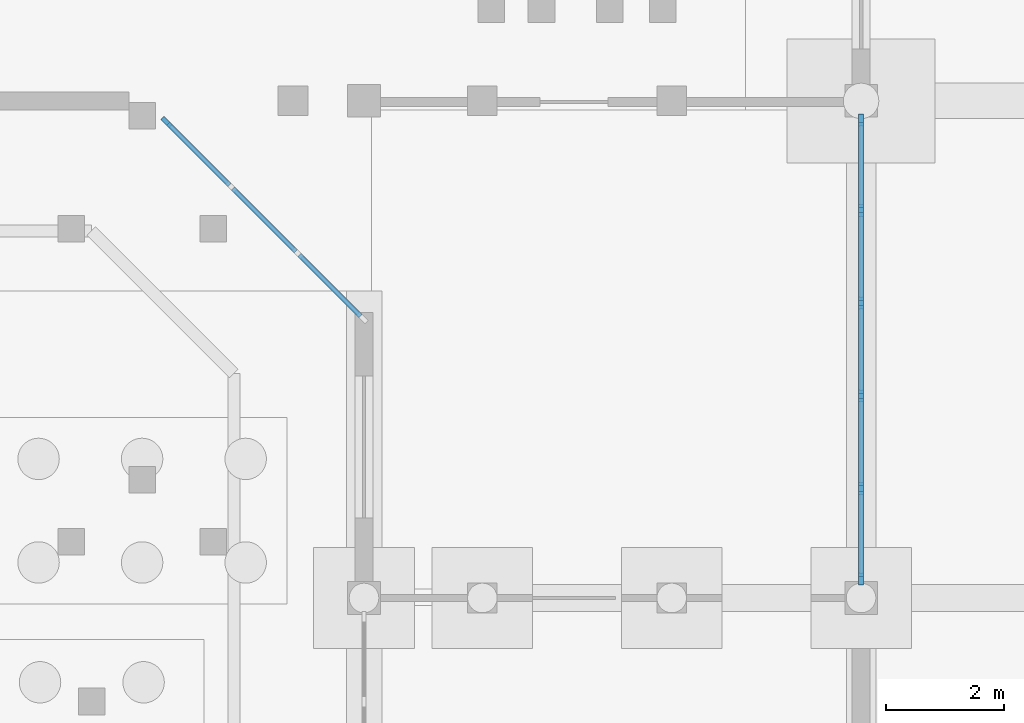
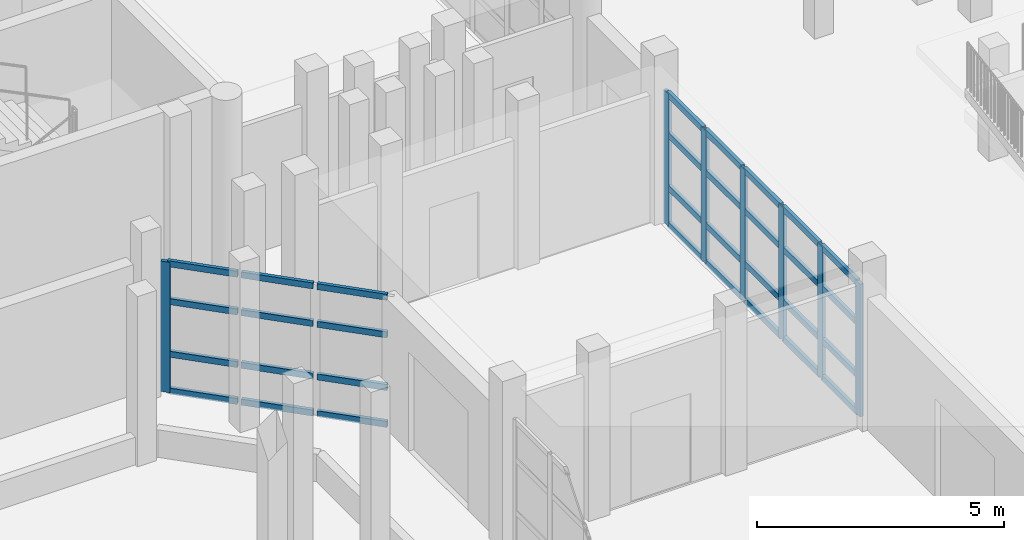
# One storey, part 24 of 88: 39 members, 2 elements without a shape of their own.
"""IFC4 building model written with IfcOpenShell, lengths in metres."""

from ifc_helpers import new_model, si_unit, direction, frame, origin, origin_2d, place, context, subcontext, project, spatial, rectangle, extrude, material, material_profile, profile_set, type_object, element, aggregate, save


model = new_model("IFC4")

# Units and contexts
model_context = context("Model", 3, precision=1e-05, world=origin(), true_north=direction((0.0, 1.0)))
body_context = subcontext(model_context, "Body", "Model", "MODEL_VIEW")
ifc_project = project(units=[si_unit("LENGTHUNIT", "METRE"), si_unit("AREAUNIT", "SQUARE_METRE"), si_unit("VOLUMEUNIT", "CUBIC_METRE"), si_unit("PLANEANGLEUNIT", "RADIAN"), si_unit("MASSUNIT", "GRAM", prefix="KILO")], contexts=[model_context])

# Site, building, storey
site_placement = place(None, origin())
site = spatial("IfcSite", under=ifc_project, at=site_placement, CompositionType="ELEMENT")
building_placement = place(site_placement, origin())
building = spatial("IfcBuilding", under=site, at=building_placement, Name="Vanh Quang Courtyard School", CompositionType="ELEMENT")
storey_placement = place(building_placement, origin())
storey = spatial("IfcBuildingStorey", under=building, at=storey_placement, Name="L00", CompositionType="ELEMENT", Elevation=0.0)

# Curtain wall, members
ifc_material_1 = material(Name="Thermally broken aluminium unitised curtain wall", Category="aluminium")
curtain_wall_type_1 = type_object("IfcCurtainWallType", Name="CW-SYS-07", PredefinedType="NOTDEFINED", material=ifc_material_1)
curtain_wall_1_placement = place(storey_placement, origin())
curtain_wall_1 = element("IfcCurtainWall", 1, at=curtain_wall_1_placement, inside=storey, type_object=curtain_wall_type_1, Name="Curtain Wall CW-07 (L00)", PredefinedType="NOTDEFINED")
ifc_material_2 = material(Name="Anodised aluminium 6063-T6", Category="aluminium")
ifc_material_profile_1 = material_profile(ifc_material_2, rectangle(XDim=0.080078125, YDim=0.199951171875, at=origin_2d()), Name="ALU-MUL 80x200")
ifc_profile_set_1 = profile_set([ifc_material_profile_1], Name="Anodised aluminium 6063-T6")
member_type_1 = type_object("IfcMemberType", Name="CW-MUL-80x200", PredefinedType="MULLION", material=ifc_profile_set_1)
member_1_placement = place(storey_placement, frame((119.39990234375, 29.076904296875, 0.0), z_axis=(0.0, 0.0, 1.0), x_axis=(1.0, 0.0, 0.0)))
member_1 = element("IfcMember", 2, at=member_1_placement, type_object=member_type_1, Name="CW-07 mullion 1", PredefinedType="MULLION", context=body_context, shape_type="SweptSolid", body=[
    extrude(rectangle(XDim=0.080078125, YDim=0.199951171875, at=origin_2d()), origin(), (0.0, 0.0, 1.0), 3.280029296875),
])
member_2_placement = place(storey_placement, frame((119.39990234375, 27.55029296875, 0.0), z_axis=(0.0, 0.0, 1.0), x_axis=(1.0, 0.0, 0.0)))
member_2 = element("IfcMember", 3, at=member_2_placement, type_object=member_type_1, Name="CW-07 mullion 2", PredefinedType="MULLION", context=body_context, shape_type="SweptSolid", body=[
    extrude(rectangle(XDim=0.080078125, YDim=0.199951171875, at=origin_2d()), origin(), (0.0, 0.0, 1.0), 3.280029296875),
])
member_3_placement = place(storey_placement, frame((119.39990234375, 25.9833984375, 0.0), z_axis=(0.0, 0.0, 1.0), x_axis=(1.0, 0.0, 0.0)))
member_3 = element("IfcMember", 4, at=member_3_placement, type_object=member_type_1, Name="CW-07 mullion 3", PredefinedType="MULLION", context=body_context, shape_type="SweptSolid", body=[
    extrude(rectangle(XDim=0.080078125, YDim=0.199951171875, at=origin_2d()), origin(), (0.0, 0.0, 1.0), 3.280029296875),
])
member_4_placement = place(storey_placement, frame((119.39990234375, 24.41650390625, 0.0), z_axis=(0.0, 0.0, 1.0), x_axis=(1.0, 0.0, 0.0)))
member_4 = element("IfcMember", 5, at=member_4_placement, type_object=member_type_1, Name="CW-07 mullion 4", PredefinedType="MULLION", context=body_context, shape_type="SweptSolid", body=[
    extrude(rectangle(XDim=0.080078125, YDim=0.199951171875, at=origin_2d()), origin(), (0.0, 0.0, 1.0), 3.280029296875),
])
member_5_placement = place(storey_placement, frame((119.39990234375, 22.849853515625, 0.0), z_axis=(0.0, 0.0, 1.0), x_axis=(1.0, 0.0, 0.0)))
member_5 = element("IfcMember", 6, at=member_5_placement, type_object=member_type_1, Name="CW-07 mullion 5", PredefinedType="MULLION", context=body_context, shape_type="SweptSolid", body=[
    extrude(rectangle(XDim=0.080078125, YDim=0.199951171875, at=origin_2d()), origin(), (0.0, 0.0, 1.0), 3.280029296875),
])
member_6_placement = place(storey_placement, frame((119.39990234375, 21.322998046875, 0.0), z_axis=(0.0, 0.0, 1.0), x_axis=(1.0, 0.0, 0.0)))
member_6 = element("IfcMember", 7, at=member_6_placement, type_object=member_type_1, Name="CW-07 mullion 6", PredefinedType="MULLION", context=body_context, shape_type="SweptSolid", body=[
    extrude(rectangle(XDim=0.080078125, YDim=0.199951171875, at=origin_2d()), origin(), (0.0, 0.0, 1.0), 3.280029296875),
])

# Curtain wall, member
curtain_wall_type_2 = type_object("IfcCurtainWallType", Name="CW-SYS-11", PredefinedType="NOTDEFINED", material=ifc_material_1)
curtain_wall_2_placement = place(storey_placement, origin())
curtain_wall_2 = element("IfcCurtainWall", 8, at=curtain_wall_2_placement, inside=storey, type_object=curtain_wall_type_2, Name="Curtain Wall CW-11 (L00)", PredefinedType="NOTDEFINED")
member_7_placement = place(storey_placement, frame((107.660888671875, 29.04296875, 0.0), z_axis=(0.0, 0.0, 1.0), x_axis=(-0.707106781187, -0.707106781187, 0.0)))
member_7 = element("IfcMember", 9, at=member_7_placement, type_object=member_type_1, Name="CW-11 mullion 4", PredefinedType="MULLION", context=body_context, shape_type="SweptSolid", body=[
    extrude(rectangle(XDim=0.080078125, YDim=0.199951171875, at=origin_2d()), origin(), (0.0, 0.0, 1.0), 3.219970703125),
])

# Member
ifc_material_profile_2 = material_profile(ifc_material_2, rectangle(XDim=0.080078125, YDim=0.14990234375, at=origin_2d()), Name="ALU-TRN 80x150")
ifc_profile_set_2 = profile_set([ifc_material_profile_2], Name="Anodised aluminium 6063-T6")
member_type_2 = type_object("IfcMemberType", Name="CW-TRN-80x150", PredefinedType="USERDEFINED", material=ifc_profile_set_2)
member_8_placement = place(storey_placement, frame((119.39990234375, 29.037109375, 0.0400390625), z_axis=(0.0, -1.0, 0.0), x_axis=(1.0, 0.0, 0.0)))
member_8 = element("IfcMember", 10, at=member_8_placement, type_object=member_type_2, Name="CW-07 transom 1.1", ObjectType="TRANSOM", PredefinedType="USERDEFINED", context=body_context, shape_type="SweptSolid", body=[
    extrude(rectangle(XDim=0.080078125, YDim=0.14990234375, at=origin_2d()), origin(), (0.0, 0.0, 1.0), 1.447021484375),
])

member_9_placement = place(storey_placement, frame((119.39990234375, 29.037109375, 0.949951171875), z_axis=(0.0, -1.0, 0.0), x_axis=(1.0, 0.0, 0.0)))
member_9 = element("IfcMember", 11, at=member_9_placement, type_object=member_type_2, Name="CW-07 transom 1.2", ObjectType="TRANSOM", PredefinedType="USERDEFINED", context=body_context, shape_type="SweptSolid", body=[
    extrude(rectangle(XDim=0.080078125, YDim=0.14990234375, at=origin_2d()), origin(), (0.0, 0.0, 1.0), 1.447021484375),
])

member_10_placement = place(storey_placement, frame((119.39990234375, 29.037109375, 2.25), z_axis=(0.0, -1.0, 0.0), x_axis=(1.0, 0.0, 0.0)))
member_10 = element("IfcMember", 12, at=member_10_placement, type_object=member_type_2, Name="CW-07 transom 1.3", ObjectType="TRANSOM", PredefinedType="USERDEFINED", context=body_context, shape_type="SweptSolid", body=[
    extrude(rectangle(XDim=0.080078125, YDim=0.14990234375, at=origin_2d()), origin(), (0.0, 0.0, 1.0), 1.447021484375),
])

member_11_placement = place(storey_placement, frame((119.39990234375, 29.037109375, 3.239990234375), z_axis=(0.0, -1.0, 0.0), x_axis=(1.0, 0.0, 0.0)))
member_11 = element("IfcMember", 13, at=member_11_placement, type_object=member_type_2, Name="CW-07 transom 1.4", ObjectType="TRANSOM", PredefinedType="USERDEFINED", context=body_context, shape_type="SweptSolid", body=[
    extrude(rectangle(XDim=0.080078125, YDim=0.14990234375, at=origin_2d()), origin(), (0.0, 0.0, 1.0), 1.447021484375),
])

member_12_placement = place(storey_placement, frame((119.39990234375, 27.51025390625, 0.0400390625), z_axis=(0.0, -1.0, 0.0), x_axis=(1.0, 0.0, 0.0)))
member_12 = element("IfcMember", 14, at=member_12_placement, type_object=member_type_2, Name="CW-07 transom 2.1", ObjectType="TRANSOM", PredefinedType="USERDEFINED", context=body_context, shape_type="SweptSolid", body=[
    extrude(rectangle(XDim=0.080078125, YDim=0.14990234375, at=origin_2d()), origin(), (0.0, 0.0, 1.0), 1.48681640625),
])

member_13_placement = place(storey_placement, frame((119.39990234375, 27.51025390625, 0.949951171875), z_axis=(0.0, -1.0, 0.0), x_axis=(1.0, 0.0, 0.0)))
member_13 = element("IfcMember", 15, at=member_13_placement, type_object=member_type_2, Name="CW-07 transom 2.2", ObjectType="TRANSOM", PredefinedType="USERDEFINED", context=body_context, shape_type="SweptSolid", body=[
    extrude(rectangle(XDim=0.080078125, YDim=0.14990234375, at=origin_2d()), origin(), (0.0, 0.0, 1.0), 1.48681640625),
])

member_14_placement = place(storey_placement, frame((119.39990234375, 27.51025390625, 2.25), z_axis=(0.0, -1.0, 0.0), x_axis=(1.0, 0.0, 0.0)))
member_14 = element("IfcMember", 16, at=member_14_placement, type_object=member_type_2, Name="CW-07 transom 2.3", ObjectType="TRANSOM", PredefinedType="USERDEFINED", context=body_context, shape_type="SweptSolid", body=[
    extrude(rectangle(XDim=0.080078125, YDim=0.14990234375, at=origin_2d()), origin(), (0.0, 0.0, 1.0), 1.48681640625),
])

member_15_placement = place(storey_placement, frame((119.39990234375, 27.51025390625, 3.239990234375), z_axis=(0.0, -1.0, 0.0), x_axis=(1.0, 0.0, 0.0)))
member_15 = element("IfcMember", 17, at=member_15_placement, type_object=member_type_2, Name="CW-07 transom 2.4", ObjectType="TRANSOM", PredefinedType="USERDEFINED", context=body_context, shape_type="SweptSolid", body=[
    extrude(rectangle(XDim=0.080078125, YDim=0.14990234375, at=origin_2d()), origin(), (0.0, 0.0, 1.0), 1.48681640625),
])

member_16_placement = place(storey_placement, frame((119.39990234375, 25.943359375, 0.0400390625), z_axis=(0.0, -1.0, 0.0), x_axis=(1.0, 0.0, 0.0)))
member_16 = element("IfcMember", 18, at=member_16_placement, type_object=member_type_2, Name="CW-07 transom 3.1", ObjectType="TRANSOM", PredefinedType="USERDEFINED", context=body_context, shape_type="SweptSolid", body=[
    extrude(rectangle(XDim=0.080078125, YDim=0.14990234375, at=origin_2d()), origin(), (0.0, 0.0, 1.0), 1.48681640625),
])

member_17_placement = place(storey_placement, frame((119.39990234375, 25.943359375, 0.949951171875), z_axis=(0.0, -1.0, 0.0), x_axis=(1.0, 0.0, 0.0)))
member_17 = element("IfcMember", 19, at=member_17_placement, type_object=member_type_2, Name="CW-07 transom 3.2", ObjectType="TRANSOM", PredefinedType="USERDEFINED", context=body_context, shape_type="SweptSolid", body=[
    extrude(rectangle(XDim=0.080078125, YDim=0.14990234375, at=origin_2d()), origin(), (0.0, 0.0, 1.0), 1.48681640625),
])

member_18_placement = place(storey_placement, frame((119.39990234375, 25.943359375, 2.25), z_axis=(0.0, -1.0, 0.0), x_axis=(1.0, 0.0, 0.0)))
member_18 = element("IfcMember", 20, at=member_18_placement, type_object=member_type_2, Name="CW-07 transom 3.3", ObjectType="TRANSOM", PredefinedType="USERDEFINED", context=body_context, shape_type="SweptSolid", body=[
    extrude(rectangle(XDim=0.080078125, YDim=0.14990234375, at=origin_2d()), origin(), (0.0, 0.0, 1.0), 1.48681640625),
])

member_19_placement = place(storey_placement, frame((119.39990234375, 25.943359375, 3.239990234375), z_axis=(0.0, -1.0, 0.0), x_axis=(1.0, 0.0, 0.0)))
member_19 = element("IfcMember", 21, at=member_19_placement, type_object=member_type_2, Name="CW-07 transom 3.4", ObjectType="TRANSOM", PredefinedType="USERDEFINED", context=body_context, shape_type="SweptSolid", body=[
    extrude(rectangle(XDim=0.080078125, YDim=0.14990234375, at=origin_2d()), origin(), (0.0, 0.0, 1.0), 1.48681640625),
])

member_20_placement = place(storey_placement, frame((119.39990234375, 24.376708984375, 0.0400390625), z_axis=(0.0, -1.0, 0.0), x_axis=(1.0, 0.0, 0.0)))
member_20 = element("IfcMember", 22, at=member_20_placement, type_object=member_type_2, Name="CW-07 transom 4.1", ObjectType="TRANSOM", PredefinedType="USERDEFINED", context=body_context, shape_type="SweptSolid", body=[
    extrude(rectangle(XDim=0.080078125, YDim=0.14990234375, at=origin_2d()), origin(), (0.0, 0.0, 1.0), 1.48681640625),
])

member_21_placement = place(storey_placement, frame((119.39990234375, 24.376708984375, 0.949951171875), z_axis=(0.0, -1.0, 0.0), x_axis=(1.0, 0.0, 0.0)))
member_21 = element("IfcMember", 23, at=member_21_placement, type_object=member_type_2, Name="CW-07 transom 4.2", ObjectType="TRANSOM", PredefinedType="USERDEFINED", context=body_context, shape_type="SweptSolid", body=[
    extrude(rectangle(XDim=0.080078125, YDim=0.14990234375, at=origin_2d()), origin(), (0.0, 0.0, 1.0), 1.48681640625),
])

member_22_placement = place(storey_placement, frame((119.39990234375, 24.376708984375, 2.25), z_axis=(0.0, -1.0, 0.0), x_axis=(1.0, 0.0, 0.0)))
member_22 = element("IfcMember", 24, at=member_22_placement, type_object=member_type_2, Name="CW-07 transom 4.3", ObjectType="TRANSOM", PredefinedType="USERDEFINED", context=body_context, shape_type="SweptSolid", body=[
    extrude(rectangle(XDim=0.080078125, YDim=0.14990234375, at=origin_2d()), origin(), (0.0, 0.0, 1.0), 1.48681640625),
])

member_23_placement = place(storey_placement, frame((119.39990234375, 24.376708984375, 3.239990234375), z_axis=(0.0, -1.0, 0.0), x_axis=(1.0, 0.0, 0.0)))
member_23 = element("IfcMember", 25, at=member_23_placement, type_object=member_type_2, Name="CW-07 transom 4.4", ObjectType="TRANSOM", PredefinedType="USERDEFINED", context=body_context, shape_type="SweptSolid", body=[
    extrude(rectangle(XDim=0.080078125, YDim=0.14990234375, at=origin_2d()), origin(), (0.0, 0.0, 1.0), 1.48681640625),
])

member_24_placement = place(storey_placement, frame((119.39990234375, 22.809814453125, 0.0400390625), z_axis=(0.0, -1.0, 0.0), x_axis=(1.0, 0.0, 0.0)))
member_24 = element("IfcMember", 26, at=member_24_placement, type_object=member_type_2, Name="CW-07 transom 5.1", ObjectType="TRANSOM", PredefinedType="USERDEFINED", context=body_context, shape_type="SweptSolid", body=[
    extrude(rectangle(XDim=0.080078125, YDim=0.14990234375, at=origin_2d()), origin(), (0.0, 0.0, 1.0), 1.44677734375),
])

member_25_placement = place(storey_placement, frame((119.39990234375, 22.809814453125, 0.949951171875), z_axis=(0.0, -1.0, 0.0), x_axis=(1.0, 0.0, 0.0)))
member_25 = element("IfcMember", 27, at=member_25_placement, type_object=member_type_2, Name="CW-07 transom 5.2", ObjectType="TRANSOM", PredefinedType="USERDEFINED", context=body_context, shape_type="SweptSolid", body=[
    extrude(rectangle(XDim=0.080078125, YDim=0.14990234375, at=origin_2d()), origin(), (0.0, 0.0, 1.0), 1.44677734375),
])

member_26_placement = place(storey_placement, frame((119.39990234375, 22.809814453125, 2.25), z_axis=(0.0, -1.0, 0.0), x_axis=(1.0, 0.0, 0.0)))
member_26 = element("IfcMember", 28, at=member_26_placement, type_object=member_type_2, Name="CW-07 transom 5.3", ObjectType="TRANSOM", PredefinedType="USERDEFINED", context=body_context, shape_type="SweptSolid", body=[
    extrude(rectangle(XDim=0.080078125, YDim=0.14990234375, at=origin_2d()), origin(), (0.0, 0.0, 1.0), 1.44677734375),
])

member_27_placement = place(storey_placement, frame((119.39990234375, 22.809814453125, 3.239990234375), z_axis=(0.0, -1.0, 0.0), x_axis=(1.0, 0.0, 0.0)))
member_27 = element("IfcMember", 29, at=member_27_placement, type_object=member_type_2, Name="CW-07 transom 5.4", ObjectType="TRANSOM", PredefinedType="USERDEFINED", context=body_context, shape_type="SweptSolid", body=[
    extrude(rectangle(XDim=0.080078125, YDim=0.14990234375, at=origin_2d()), origin(), (0.0, 0.0, 1.0), 1.44677734375),
])

aggregate(curtain_wall_1, [member_1, member_2, member_3, member_4, member_5, member_6, member_8, member_9, member_10, member_11, member_12, member_13, member_14, member_15, member_16, member_17, member_18, member_19, member_20, member_21, member_22, member_23, member_24, member_25, member_26, member_27])

member_28_placement = place(storey_placement, frame((110.943359375, 25.760498046875, 0.0400390625), z_axis=(-0.707106781187, 0.707106781187, 0.0), x_axis=(-0.707106781187, -0.707106781187, 0.0)))
member_28 = element("IfcMember", 30, at=member_28_placement, type_object=member_type_2, Name="CW-11 transom 1.1", ObjectType="TRANSOM", PredefinedType="USERDEFINED", context=body_context, shape_type="SweptSolid", body=[
    extrude(rectangle(XDim=0.080078125, YDim=0.14990234375, at=origin_2d()), origin(), (0.0, 0.0, 1.0), 1.46728515625),
])

member_29_placement = place(storey_placement, frame((110.943359375, 25.760498046875, 0.949951171875), z_axis=(-0.707106781187, 0.707106781187, 0.0), x_axis=(-0.707106781187, -0.707106781187, 0.0)))
member_29 = element("IfcMember", 31, at=member_29_placement, type_object=member_type_2, Name="CW-11 transom 1.2", ObjectType="TRANSOM", PredefinedType="USERDEFINED", context=body_context, shape_type="SweptSolid", body=[
    extrude(rectangle(XDim=0.080078125, YDim=0.14990234375, at=origin_2d()), origin(), (0.0, 0.0, 1.0), 1.46728515625),
])

member_30_placement = place(storey_placement, frame((110.943359375, 25.760498046875, 2.25), z_axis=(-0.707106781187, 0.707106781187, 0.0), x_axis=(-0.707106781187, -0.707106781187, 0.0)))
member_30 = element("IfcMember", 32, at=member_30_placement, type_object=member_type_2, Name="CW-11 transom 1.3", ObjectType="TRANSOM", PredefinedType="USERDEFINED", context=body_context, shape_type="SweptSolid", body=[
    extrude(rectangle(XDim=0.080078125, YDim=0.14990234375, at=origin_2d()), origin(), (0.0, 0.0, 1.0), 1.46728515625),
])

member_31_placement = place(storey_placement, frame((110.943359375, 25.760498046875, 3.179931640625), z_axis=(-0.707106781187, 0.707106781187, 0.0), x_axis=(-0.707106781187, -0.707106781187, 0.0)))
member_31 = element("IfcMember", 33, at=member_31_placement, type_object=member_type_2, Name="CW-11 transom 1.4", ObjectType="TRANSOM", PredefinedType="USERDEFINED", context=body_context, shape_type="SweptSolid", body=[
    extrude(rectangle(XDim=0.080078125, YDim=0.14990234375, at=origin_2d()), origin(), (0.0, 0.0, 1.0), 1.46728515625),
])

member_32_placement = place(storey_placement, frame((109.849365234375, 26.854736328125, 0.0400390625), z_axis=(-0.707106781187, 0.707106781187, 0.0), x_axis=(-0.707106781187, -0.707106781187, 0.0)))
member_32 = element("IfcMember", 34, at=member_32_placement, type_object=member_type_2, Name="CW-11 transom 2.1", ObjectType="TRANSOM", PredefinedType="USERDEFINED", context=body_context, shape_type="SweptSolid", body=[
    extrude(rectangle(XDim=0.080078125, YDim=0.14990234375, at=origin_2d()), origin(), (0.0, 0.0, 1.0), 1.50732421875),
])

member_33_placement = place(storey_placement, frame((109.849365234375, 26.854736328125, 0.949951171875), z_axis=(-0.707106781187, 0.707106781187, 0.0), x_axis=(-0.707106781187, -0.707106781187, 0.0)))
member_33 = element("IfcMember", 35, at=member_33_placement, type_object=member_type_2, Name="CW-11 transom 2.2", ObjectType="TRANSOM", PredefinedType="USERDEFINED", context=body_context, shape_type="SweptSolid", body=[
    extrude(rectangle(XDim=0.080078125, YDim=0.14990234375, at=origin_2d()), origin(), (0.0, 0.0, 1.0), 1.50732421875),
])

member_34_placement = place(storey_placement, frame((109.849365234375, 26.854736328125, 2.25), z_axis=(-0.707106781187, 0.707106781187, 0.0), x_axis=(-0.707106781187, -0.707106781187, 0.0)))
member_34 = element("IfcMember", 36, at=member_34_placement, type_object=member_type_2, Name="CW-11 transom 2.3", ObjectType="TRANSOM", PredefinedType="USERDEFINED", context=body_context, shape_type="SweptSolid", body=[
    extrude(rectangle(XDim=0.080078125, YDim=0.14990234375, at=origin_2d()), origin(), (0.0, 0.0, 1.0), 1.50732421875),
])

member_35_placement = place(storey_placement, frame((109.849365234375, 26.854736328125, 3.179931640625), z_axis=(-0.707106781187, 0.707106781187, 0.0), x_axis=(-0.707106781187, -0.707106781187, 0.0)))
member_35 = element("IfcMember", 37, at=member_35_placement, type_object=member_type_2, Name="CW-11 transom 2.4", ObjectType="TRANSOM", PredefinedType="USERDEFINED", context=body_context, shape_type="SweptSolid", body=[
    extrude(rectangle(XDim=0.080078125, YDim=0.14990234375, at=origin_2d()), origin(), (0.0, 0.0, 1.0), 1.50732421875),
])

member_36_placement = place(storey_placement, frame((108.726806640625, 27.97705078125, 0.0400390625), z_axis=(-0.707106781187, 0.707106781187, 0.0), x_axis=(-0.707106781187, -0.707106781187, 0.0)))
member_36 = element("IfcMember", 38, at=member_36_placement, type_object=member_type_2, Name="CW-11 transom 3.1", ObjectType="TRANSOM", PredefinedType="USERDEFINED", context=body_context, shape_type="SweptSolid", body=[
    extrude(rectangle(XDim=0.080078125, YDim=0.14990234375, at=origin_2d()), origin(), (0.0, 0.0, 1.0), 1.46728515625),
])

member_37_placement = place(storey_placement, frame((108.726806640625, 27.97705078125, 0.949951171875), z_axis=(-0.707106781187, 0.707106781187, 0.0), x_axis=(-0.707106781187, -0.707106781187, 0.0)))
member_37 = element("IfcMember", 39, at=member_37_placement, type_object=member_type_2, Name="CW-11 transom 3.2", ObjectType="TRANSOM", PredefinedType="USERDEFINED", context=body_context, shape_type="SweptSolid", body=[
    extrude(rectangle(XDim=0.080078125, YDim=0.14990234375, at=origin_2d()), origin(), (0.0, 0.0, 1.0), 1.46728515625),
])

member_38_placement = place(storey_placement, frame((108.726806640625, 27.97705078125, 2.25), z_axis=(-0.707106781187, 0.707106781187, 0.0), x_axis=(-0.707106781187, -0.707106781187, 0.0)))
member_38 = element("IfcMember", 40, at=member_38_placement, type_object=member_type_2, Name="CW-11 transom 3.3", ObjectType="TRANSOM", PredefinedType="USERDEFINED", context=body_context, shape_type="SweptSolid", body=[
    extrude(rectangle(XDim=0.080078125, YDim=0.14990234375, at=origin_2d()), origin(), (0.0, 0.0, 1.0), 1.46728515625),
])

member_39_placement = place(storey_placement, frame((108.726806640625, 27.97705078125, 3.179931640625), z_axis=(-0.707106781187, 0.707106781187, 0.0), x_axis=(-0.707106781187, -0.707106781187, 0.0)))
member_39 = element("IfcMember", 41, at=member_39_placement, type_object=member_type_2, Name="CW-11 transom 3.4", ObjectType="TRANSOM", PredefinedType="USERDEFINED", context=body_context, shape_type="SweptSolid", body=[
    extrude(rectangle(XDim=0.080078125, YDim=0.14990234375, at=origin_2d()), origin(), (0.0, 0.0, 1.0), 1.46728515625),
])

aggregate(curtain_wall_2, [member_7, member_28, member_29, member_30, member_31, member_32, member_33, member_34, member_35, member_36, member_37, member_38, member_39])

save(model, "model.ifc")
